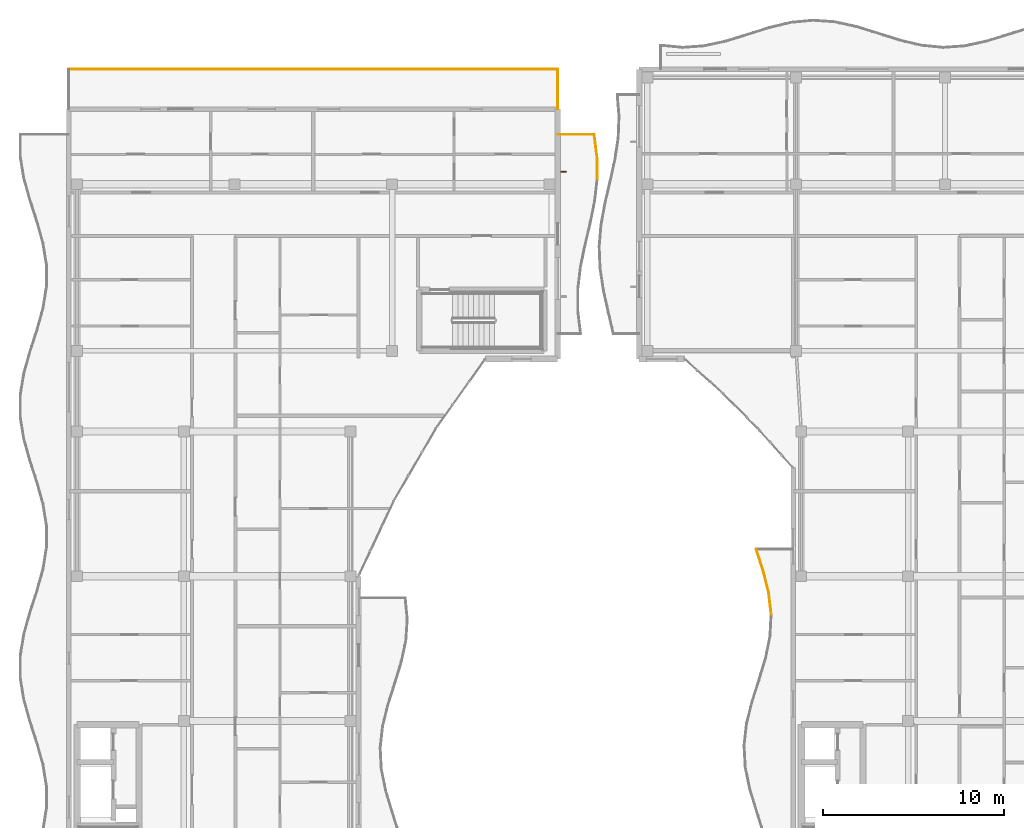
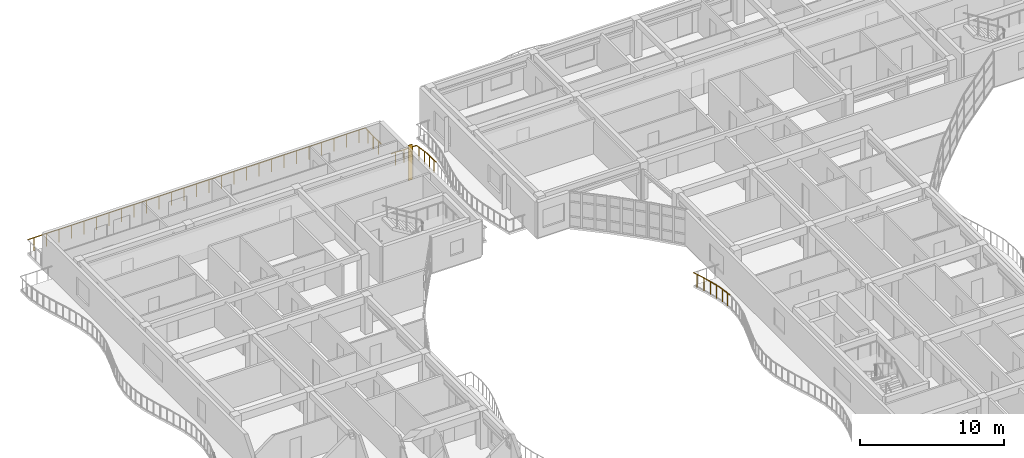
# One storey, part 54 of 71: 8 railings, 1 shading device.
"""IFC4 building model written with IfcOpenShell, lengths in metres."""

from ifc_helpers import new_model, si_unit, direction, frame, origin, origin_2d, place, context, subcontext, project, spatial, rectangle, circle, extrude, material, layer, layer_set, type_object, element, save


model = new_model("IFC4")

# Units and contexts
model_context = context("Model", 3, precision=1e-05, world=origin(), true_north=direction((0.0, 1.0)))
body_context = subcontext(model_context, "Body", "Model", "MODEL_VIEW")
ifc_project = project(units=[si_unit("LENGTHUNIT", "METRE"), si_unit("AREAUNIT", "SQUARE_METRE"), si_unit("VOLUMEUNIT", "CUBIC_METRE"), si_unit("PLANEANGLEUNIT", "RADIAN"), si_unit("MASSUNIT", "GRAM", prefix="KILO")], contexts=[model_context])

# Site, building, storey
site_placement = place(None, origin())
site = spatial("IfcSite", under=ifc_project, at=site_placement, CompositionType="ELEMENT")
building_placement = place(site_placement, origin())
building = spatial("IfcBuilding", under=site, at=building_placement, Name="Keldmere Railside Commons", CompositionType="ELEMENT")
storey_placement = place(building_placement, frame((0.0, 0.0, 20.159912109375)))
storey = spatial("IfcBuildingStorey", under=building, at=storey_placement, Name="L06", CompositionType="ELEMENT", Elevation=20.159912109375)

# Railings
ifc_material = material(Name="Steel F-24 (S235)", Category="steel")
railing_type = type_object("IfcRailingType", Name="Balcony & Terrace Steel Balustrade 1100", PredefinedType="BALUSTRADE", material=ifc_material)
railing_1_placement = place(storey_placement, frame((37.1865234375, 109.95556640625, 0.0)))
element("IfcRailing", 1, at=railing_1_placement, inside=storey, type_object=railing_type, Name="GR-1 GRD-L06-0685", PredefinedType="BALUSTRADE", context=body_context, shape_type="SweptSolid", body=[
    extrude(circle(Radius=0.02392578125, at=origin_2d()), frame((0.0, 0.0, 1.076171875), z_axis=(-0.010786427994, 0.999941824793, 0.0), x_axis=(-0.999941824793, -0.010786427994, 0.0)), (0.0, 0.0, 1.0), 1.22216796875),
    extrude(circle(Radius=0.02099609375, at=origin_2d()), frame((-0.00341796875, 0.3056640625, 0.0)), (0.0, 0.0, 1.0), 1.048095703125),
    extrude(circle(Radius=0.02099609375, at=origin_2d()), frame((-0.009765625, 0.91650390625, 0.0)), (0.0, 0.0, 1.0), 1.048095703125),
])
railing_2_placement = place(storey_placement, frame((37.17333984375, 111.177734375, 0.0)))
element("IfcRailing", 2, at=railing_2_placement, inside=storey, type_object=railing_type, Name="GR-1 GRD-L06-0686", PredefinedType="BALUSTRADE", context=body_context, shape_type="SweptSolid", body=[
    extrude(circle(Radius=0.02392578125, at=origin_2d()), frame((0.0, 0.0, 1.076171875), z_axis=(-0.128568460371, 0.991700635776, 0.0), x_axis=(-0.991700635776, -0.128568460371, 0.0)), (0.0, 0.0, 1.0), 1.232421875),
    extrude(circle(Radius=0.02099609375, at=origin_2d()), frame((-0.03955078125, 0.3056640625, 0.0)), (0.0, 0.0, 1.0), 1.048095703125),
    extrude(circle(Radius=0.02099609375, at=origin_2d()), frame((-0.118896484375, 0.91650390625, 0.0)), (0.0, 0.0, 1.0), 1.048095703125),
])
railing_3_placement = place(storey_placement, frame((37.014892578125, 112.39990234375, 0.0)))
element("IfcRailing", 3, at=railing_3_placement, inside=storey, type_object=railing_type, Name="GR-1 GRD-L06-0687", PredefinedType="BALUSTRADE", context=body_context, shape_type="SweptSolid", body=[
    extrude(circle(Radius=0.02392578125, at=origin_2d()), frame((0.0, 0.0, 1.076171875), z_axis=(-1.0, 0.0, 0.0), x_axis=(0.0, -1.0, 0.0)), (0.0, 0.0, 1.0), 2.014892578125),
    extrude(circle(Radius=0.02099609375, at=origin_2d()), frame((-0.3359375, 0.0, 0.0)), (0.0, 0.0, 1.0), 1.048095703125),
    extrude(circle(Radius=0.02099609375, at=origin_2d()), frame((-1.00732421875, 0.0, 0.0)), (0.0, 0.0, 1.0), 1.048095703125),
    extrude(circle(Radius=0.02099609375, at=origin_2d()), frame((-1.67919921875, 0.0, 0.0)), (0.0, 0.0, 1.0), 1.048095703125),
])
railing_4_placement = place(storey_placement, frame((8.0, 116.0, 0.0)))
element("IfcRailing", 4, at=railing_4_placement, inside=storey, type_object=railing_type, Name="GR-1 GRD-L06-0692", PredefinedType="BALUSTRADE", context=body_context, shape_type="SweptSolid", body=[
    extrude(circle(Radius=0.02392578125, at=origin_2d()), frame((0.0, 0.0, 1.076171875), z_axis=(1.0, 0.0, 0.0), x_axis=(0.0, 1.0, 0.0)), (0.0, 0.0, 1.0), 27.0),
    extrude(circle(Radius=0.02099609375, at=origin_2d()), frame((0.5, 0.0, 0.0)), (0.0, 0.0, 1.0), 1.048095703125),
    extrude(circle(Radius=0.02099609375, at=origin_2d()), frame((1.5, 0.0, 0.0)), (0.0, 0.0, 1.0), 1.048095703125),
    extrude(circle(Radius=0.02099609375, at=origin_2d()), frame((2.5, 0.0, 0.0)), (0.0, 0.0, 1.0), 1.048095703125),
    extrude(circle(Radius=0.02099609375, at=origin_2d()), frame((3.5, 0.0, 0.0)), (0.0, 0.0, 1.0), 1.048095703125),
    extrude(circle(Radius=0.02099609375, at=origin_2d()), frame((4.5, 0.0, 0.0)), (0.0, 0.0, 1.0), 1.048095703125),
    extrude(circle(Radius=0.02099609375, at=origin_2d()), frame((5.5, 0.0, 0.0)), (0.0, 0.0, 1.0), 1.048095703125),
    extrude(circle(Radius=0.02099609375, at=origin_2d()), frame((6.5, 0.0, 0.0)), (0.0, 0.0, 1.0), 1.048095703125),
    extrude(circle(Radius=0.02099609375, at=origin_2d()), frame((7.5, 0.0, 0.0)), (0.0, 0.0, 1.0), 1.048095703125),
    extrude(circle(Radius=0.02099609375, at=origin_2d()), frame((8.5, 0.0, 0.0)), (0.0, 0.0, 1.0), 1.048095703125),
    extrude(circle(Radius=0.02099609375, at=origin_2d()), frame((9.5, 0.0, 0.0)), (0.0, 0.0, 1.0), 1.048095703125),
    extrude(circle(Radius=0.02099609375, at=origin_2d()), frame((10.5, 0.0, 0.0)), (0.0, 0.0, 1.0), 1.048095703125),
    extrude(circle(Radius=0.02099609375, at=origin_2d()), frame((11.5, 0.0, 0.0)), (0.0, 0.0, 1.0), 1.048095703125),
    extrude(circle(Radius=0.02099609375, at=origin_2d()), frame((12.5, 0.0, 0.0)), (0.0, 0.0, 1.0), 1.048095703125),
    extrude(circle(Radius=0.02099609375, at=origin_2d()), frame((13.5, 0.0, 0.0)), (0.0, 0.0, 1.0), 1.048095703125),
    extrude(circle(Radius=0.02099609375, at=origin_2d()), frame((14.5, 0.0, 0.0)), (0.0, 0.0, 1.0), 1.048095703125),
    extrude(circle(Radius=0.02099609375, at=origin_2d()), frame((15.5, 0.0, 0.0)), (0.0, 0.0, 1.0), 1.048095703125),
    extrude(circle(Radius=0.02099609375, at=origin_2d()), frame((16.5, 0.0, 0.0)), (0.0, 0.0, 1.0), 1.048095703125),
    extrude(circle(Radius=0.02099609375, at=origin_2d()), frame((17.5, 0.0, 0.0)), (0.0, 0.0, 1.0), 1.048095703125),
    extrude(circle(Radius=0.02099609375, at=origin_2d()), frame((18.5, 0.0, 0.0)), (0.0, 0.0, 1.0), 1.048095703125),
    extrude(circle(Radius=0.02099609375, at=origin_2d()), frame((19.5, 0.0, 0.0)), (0.0, 0.0, 1.0), 1.048095703125),
    extrude(circle(Radius=0.02099609375, at=origin_2d()), frame((20.5, 0.0, 0.0)), (0.0, 0.0, 1.0), 1.048095703125),
    extrude(circle(Radius=0.02099609375, at=origin_2d()), frame((21.5, 0.0, 0.0)), (0.0, 0.0, 1.0), 1.048095703125),
    extrude(circle(Radius=0.02099609375, at=origin_2d()), frame((22.5, 0.0, 0.0)), (0.0, 0.0, 1.0), 1.048095703125),
    extrude(circle(Radius=0.02099609375, at=origin_2d()), frame((23.5, 0.0, 0.0)), (0.0, 0.0, 1.0), 1.048095703125),
    extrude(circle(Radius=0.02099609375, at=origin_2d()), frame((24.5, 0.0, 0.0)), (0.0, 0.0, 1.0), 1.048095703125),
    extrude(circle(Radius=0.02099609375, at=origin_2d()), frame((25.5, 0.0, 0.0)), (0.0, 0.0, 1.0), 1.048095703125),
    extrude(circle(Radius=0.02099609375, at=origin_2d()), frame((26.5, 0.0, 0.0)), (0.0, 0.0, 1.0), 1.048095703125),
])
railing_5_placement = place(storey_placement, frame((35.0, 116.0, 0.0)))
element("IfcRailing", 5, at=railing_5_placement, inside=storey, type_object=railing_type, Name="GR-1 GRD-L06-0693", PredefinedType="BALUSTRADE", context=body_context, shape_type="SweptSolid", body=[
    extrude(circle(Radius=0.02392578125, at=origin_2d()), frame((0.0, 0.0, 1.076171875), z_axis=(0.0, -1.0, 0.0), x_axis=(1.0, 0.0, 0.0)), (0.0, 0.0, 1.0), 2.199951171875),
    extrude(circle(Radius=0.02099609375, at=origin_2d()), frame((0.0, -0.36669921875, 0.0)), (0.0, 0.0, 1.0), 1.048095703125),
    extrude(circle(Radius=0.02099609375, at=origin_2d()), frame((0.0, -1.10009765625, 0.0)), (0.0, 0.0, 1.0), 1.048095703125),
    extrude(circle(Radius=0.02099609375, at=origin_2d()), frame((0.0, -1.833251953125, 0.0)), (0.0, 0.0, 1.0), 1.048095703125),
])
railing_6_placement = place(storey_placement, frame((46.7958984375, 85.887451171875, 0.0)))
element("IfcRailing", 6, at=railing_6_placement, inside=storey, type_object=railing_type, Name="GR-1 GRD-L06-1516", PredefinedType="BALUSTRADE", context=body_context, shape_type="SweptSolid", body=[
    extrude(circle(Radius=0.02392578125, at=origin_2d()), frame((0.0, 0.0, 1.076171875), z_axis=(-0.115579402415, 0.993298244103, 0.0), x_axis=(-0.993298244103, -0.115579402415, 0.0)), (0.0, 0.0, 1.0), 1.21240234375),
    extrude(circle(Radius=0.02099609375, at=origin_2d()), frame((-0.03515625, 0.301025390625, 0.0)), (0.0, 0.0, 1.0), 1.048095703125),
    extrude(circle(Radius=0.02099609375, at=origin_2d()), frame((-0.10498046875, 0.9033203125, 0.0)), (0.0, 0.0, 1.0), 1.048095703125),
])
railing_7_placement = place(storey_placement, frame((46.65576171875, 87.091796875, 0.0)))
element("IfcRailing", 7, at=railing_7_placement, inside=storey, type_object=railing_type, Name="GR-1 GRD-L06-1517", PredefinedType="BALUSTRADE", context=body_context, shape_type="SweptSolid", body=[
    extrude(circle(Radius=0.02392578125, at=origin_2d()), frame((0.0, 0.0, 1.076171875), z_axis=(-0.244385626334, 0.969678124762, 0.0), x_axis=(-0.969678124762, -0.244385626334, 0.0)), (0.0, 0.0, 1.0), 1.24169921875),
    extrude(circle(Radius=0.02099609375, at=origin_2d()), frame((-0.075927734375, 0.301025390625, 0.0)), (0.0, 0.0, 1.0), 1.048095703125),
    extrude(circle(Radius=0.02099609375, at=origin_2d()), frame((-0.2275390625, 0.903076171875, 0.0)), (0.0, 0.0, 1.0), 1.048095703125),
])
railing_8_placement = place(storey_placement, frame((46.352294921875, 88.2958984375, 0.0)))
element("IfcRailing", 8, at=railing_8_placement, inside=storey, type_object=railing_type, Name="GR-1 GRD-L06-1518", PredefinedType="BALUSTRADE", context=body_context, shape_type="SweptSolid", body=[
    extrude(circle(Radius=0.02392578125, at=origin_2d()), frame((0.0, 0.0, 1.076171875), z_axis=(-0.304558488329, 0.952493636297, 0.0), x_axis=(-0.952493636297, -0.304558488329, 0.0)), (0.0, 0.0, 1.0), 1.26416015625),
    extrude(circle(Radius=0.02099609375, at=origin_2d()), frame((-0.09619140625, 0.301025390625, 0.0)), (0.0, 0.0, 1.0), 1.048095703125),
    extrude(circle(Radius=0.02099609375, at=origin_2d()), frame((-0.288818359375, 0.903076171875, 0.0)), (0.0, 0.0, 1.0), 1.048095703125),
])

# Shading device
ifc_layer = layer(ifc_material, 0.06005859375, Name="East-West Vertical Brise-Soleil Fin 320x60")
ifc_layer_set = layer_set([ifc_layer], Name="Steel F-24 (S235)")
shading_device_type = type_object("IfcShadingDeviceType", Name="East-West Vertical Brise-Soleil Fin 320x60", PredefinedType="USERDEFINED", material=ifc_layer_set)
shading_device_placement = place(storey_placement, frame((35.318115234375, 110.35009765625, 0.0), z_axis=(0.0, 0.0, 1.0), x_axis=(1.0, 0.0, 0.0)))
element("IfcShadingDevice", 9, at=shading_device_placement, inside=storey, type_object=shading_device_type, Name="FIN-1 Solar Fin 005", ObjectType="FIN", PredefinedType="USERDEFINED", context=body_context, shape_type="SweptSolid", body=[
    extrude(rectangle(XDim=0.320068359375, YDim=0.06005859375, at=origin_2d()), origin(), (0.0, 0.0, 1.0), 2.97998046875),
])

save(model, "model.ifc")
